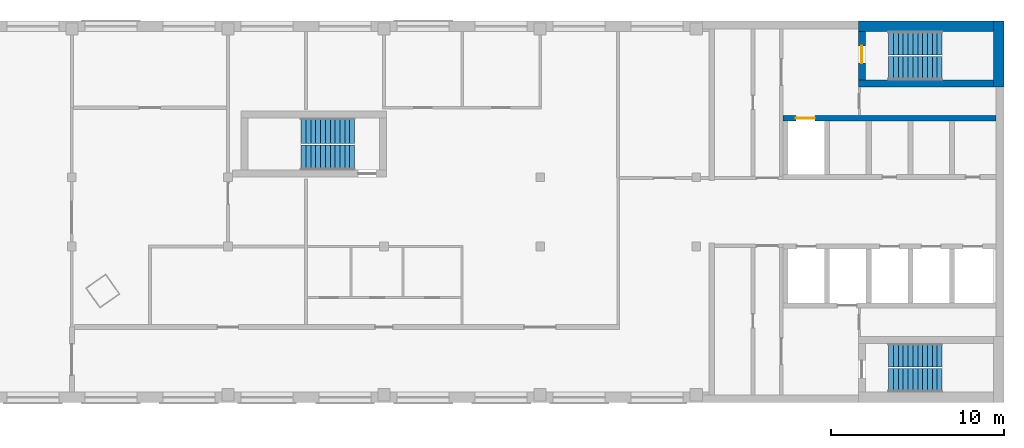
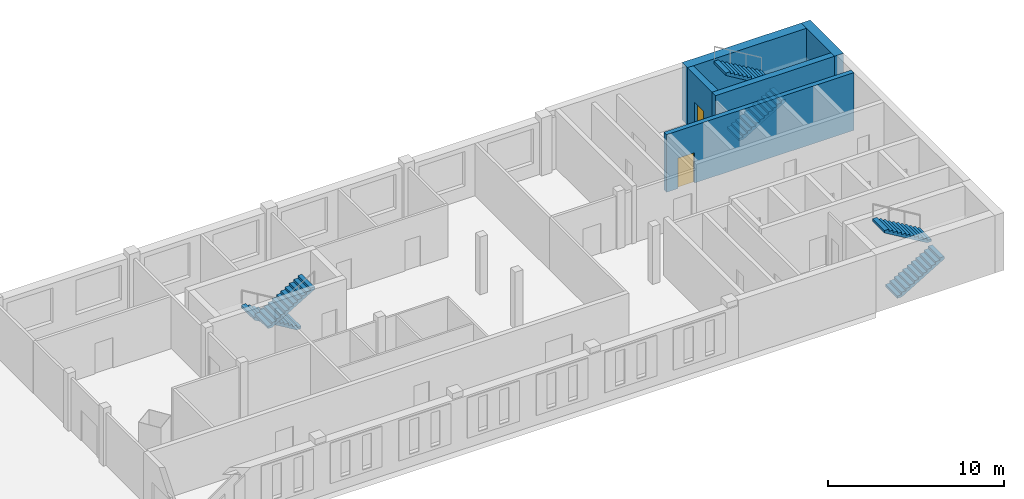
# One storey, part 4 of 5: 6 stair flights, 5 walls, 2 doors, 2 openings, 3 elements without a shape of their own.
"""IFC4 building model written with IfcOpenShell, lengths in metres."""

from ifc_helpers import new_model, si_unit, direction, frame, frame_2d, origin, place, context, subcontext, project, spatial, polyline, rectangle, outline, extrude, material, layer, layer_set, type_object, element, fill, aggregate, save


model = new_model("IFC4")

# Units and contexts
model_context = context("Model", 3, precision=1e-05, world=origin(), true_north=direction((0.0, 1.0)))
body_context = subcontext(model_context, "Body", "Model", "MODEL_VIEW")
ifc_project = project(units=[si_unit("LENGTHUNIT", "METRE"), si_unit("AREAUNIT", "SQUARE_METRE"), si_unit("VOLUMEUNIT", "CUBIC_METRE"), si_unit("PLANEANGLEUNIT", "RADIAN"), si_unit("MASSUNIT", "GRAM", prefix="KILO")], contexts=[model_context])

# Site, building, storey
site_placement = place(None, origin())
site = spatial("IfcSite", under=ifc_project, at=site_placement, CompositionType="ELEMENT")
building_placement = place(site_placement, origin())
building = spatial("IfcBuilding", under=site, at=building_placement, Name="Skarvind Civic Tower", CompositionType="ELEMENT")
storey_placement = place(building_placement, frame((0.0, 0.0, 273.5)))
storey = spatial("IfcBuildingStorey", under=building, at=storey_placement, Name="L65", CompositionType="ELEMENT", Elevation=273.5)

# Wall, opening, door
ifc_material_1 = material(Name="Concrete C60", Category="concrete")
ifc_layer_1 = layer(ifc_material_1, 0.300048828125)
ifc_layer_set_1 = layer_set([ifc_layer_1], Name="Core wall 300 C60")
wall_type_1 = type_object("IfcWallType", Name="Core wall 300 C60", PredefinedType="SHEAR", material=ifc_layer_set_1)
wall_1_placement = place(storey_placement, frame((107.550048828125, 133.39990234375, 0.0), z_axis=(0.0, 0.0, 1.0), x_axis=(-1.0, 0.0, 0.0)))
wall_1 = element("IfcWall", 1, at=wall_1_placement, inside=storey, type_object=wall_type_1, Name="Core wall C1 south lift row back L65", PredefinedType="SHEAR", context=body_context, shape_type="SweptSolid", body=[
    extrude(rectangle(XDim=12.300048828125, YDim=0.300048828125, at=frame_2d((6.14990234375, 0.0))), origin(), (0.0, 0.0, 1.0), 4.0),
])
opening_1_placement = place(wall_1_placement, frame((10.449951171875, 0.0, 0.0)))
opening_1 = element("IfcOpeningElement", 2, at=opening_1_placement, cuts=wall_1, Name="Opening LD67110", PredefinedType="OPENING", context=body_context, shape_type="SweptSolid", body=[
    extrude(rectangle(XDim=1.10009765625, YDim=2.10009765625, at=frame_2d((0.550048828125, 1.050048828125))), frame((0.0, 0.159912109375, 0.0), z_axis=(0.0, -1.0, 0.0), x_axis=(1.0, 0.0, 0.0)), (0.0, 0.0, 1.0), 0.320068359375),
])
ifc_material_2 = material(Name="Stainless steel landing door", Category="steel")
door_type_1 = type_object("IfcDoorType", Name="Lift landing door 1100", OperationType="DOUBLE_DOOR_SLIDING", PredefinedType="DOOR", material=ifc_material_2)
door_1_placement = place(opening_1_placement, origin())
door_1 = element("IfcDoor", 3, at=door_1_placement, inside=storey, type_object=door_type_1, Name="Lift landing door", OperationType="DOUBLE_DOOR_SLIDING", OverallHeight=2.10009765625, OverallWidth=1.10009765625, PredefinedType="DOOR", context=body_context, shape_type="SweptSolid", body=[
    extrude(rectangle(XDim=1.10009765625, YDim=2.10009765625, at=frame_2d((0.550048828125, 1.050048828125))), frame((0.0, 0.02490234375, 0.0), z_axis=(0.0, -1.0, 0.0), x_axis=(1.0, 0.0, 0.0)), (0.0, 0.0, 1.0), 0.050048828125),
])
fill(opening_1, door_1)

# Wall
ifc_layer_2 = layer(ifc_material_1, 0.39990234375)
ifc_layer_set_2 = layer_set([ifc_layer_2], Name="Core wall 400 C60")
wall_type_2 = type_object("IfcWallType", Name="Core wall 400 C60", PredefinedType="SHEAR", material=ifc_layer_set_2)
wall_2_placement = place(storey_placement, frame((107.39990234375, 135.39990234375, 0.0), z_axis=(0.0, 0.0, 1.0), x_axis=(-1.0, 0.0, 0.0)))
element("IfcWall", 4, at=wall_2_placement, inside=storey, type_object=wall_type_2, Name="Core wall C1 south stair inner L65", PredefinedType="SHEAR", context=body_context, shape_type="SweptSolid", body=[
    extrude(rectangle(XDim=7.7998046875, YDim=0.39990234375, at=frame_2d((3.89990234375, 0.0))), origin(), (0.0, 0.0, 1.0), 4.0),
])

# Wall, opening, door
wall_3_placement = place(storey_placement, frame((99.800048828125, 138.39990234375, 0.0), z_axis=(0.0, 0.0, 1.0), x_axis=(0.0, -1.0, 0.0)))
wall_3 = element("IfcWall", 5, at=wall_3_placement, inside=storey, type_object=wall_type_2, Name="Core wall C1 south stair end L65", PredefinedType="SHEAR", context=body_context, shape_type="SweptSolid", body=[
    extrude(rectangle(XDim=2.7998046875, YDim=0.39990234375, at=frame_2d((1.39990234375, 0.0))), origin(), (0.0, 0.0, 1.0), 4.0),
])
opening_2_placement = place(wall_3_placement, frame((0.824951171875, 0.0, 0.0)))
opening_2 = element("IfcOpeningElement", 6, at=opening_2_placement, cuts=wall_3, Name="Opening D-L65-C1-14", PredefinedType="OPENING", context=body_context, shape_type="SweptSolid", body=[
    extrude(rectangle(XDim=1.0, YDim=2.10009765625, at=frame_2d((0.5, 1.050048828125))), frame((0.0, 0.2099609375, 0.0), z_axis=(0.0, -1.0, 0.0), x_axis=(1.0, 0.0, 0.0)), (0.0, 0.0, 1.0), 0.419921875),
])
ifc_material_3 = material(Name="Fire-rated steel door", Category="steel")
door_type_2 = type_object("IfcDoorType", Name="Fire door 1000", OperationType="NOTDEFINED", PredefinedType="DOOR", material=ifc_material_3)
door_2_placement = place(opening_2_placement, origin())
door_2 = element("IfcDoor", 7, at=door_2_placement, inside=storey, type_object=door_type_2, Name="Fire door", OperationType="SINGLE_SWING_RIGHT", OverallHeight=2.10009765625, OverallWidth=1.0, PredefinedType="DOOR", context=body_context, shape_type="SweptSolid", body=[
    extrude(rectangle(XDim=1.0, YDim=2.10009765625, at=frame_2d((0.5, 1.050048828125))), frame((0.0, 0.02490234375, 0.0), z_axis=(0.0, -1.0, 0.0), x_axis=(1.0, 0.0, 0.0)), (0.0, 0.0, 1.0), 0.050048828125),
])
fill(opening_2, door_2)

# Walls
ifc_layer_3 = layer(ifc_material_1, 0.60009765625)
ifc_layer_set_3 = layer_set([ifc_layer_3], Name="Core wall 600 C60")
wall_type_3 = type_object("IfcWallType", Name="Core wall 600 C60", PredefinedType="SHEAR", material=ifc_layer_set_3)
wall_4_placement = place(storey_placement, frame((107.699951171875, 139.0, 0.0), z_axis=(0.0, 0.0, 1.0), x_axis=(0.0, -1.0, 0.0)))
element("IfcWall", 8, at=wall_4_placement, inside=storey, type_object=wall_type_3, Name="Core wall C1 tip at the south stair L65", PredefinedType="SHEAR", context=body_context, shape_type="SweptSolid", body=[
    extrude(rectangle(XDim=3.800048828125, YDim=0.60009765625, at=frame_2d((1.89990234375, 0.0))), origin(), (0.0, 0.0, 1.0), 4.0),
])
wall_5_placement = place(storey_placement, frame((107.39990234375, 138.699951171875, 0.0), z_axis=(0.0, 0.0, 1.0), x_axis=(-1.0, 0.0, 0.0)))
element("IfcWall", 9, at=wall_5_placement, inside=storey, type_object=wall_type_3, Name="Core wall C1 south side at the stair L65", PredefinedType="SHEAR", context=body_context, shape_type="SweptSolid", body=[
    extrude(rectangle(XDim=7.7998046875, YDim=0.60009765625, at=frame_2d((3.89990234375, 0.0))), origin(), (0.0, 0.0, 1.0), 4.0),
])

# Stair, stair flights
ifc_material_4 = material(Name="Concrete C40/50", Category="concrete")
stair_type_1 = type_object("IfcStairType", Name="Exit stair 1450, half-turn, concrete", PredefinedType="HALF_TURN_STAIR", material=ifc_material_4)
stair_1_placement = place(storey_placement, origin())
stair_1 = element("IfcStair", 10, at=stair_1_placement, inside=storey, type_object=stair_type_1, Name="Exit stair CM", PredefinedType="HALF_TURN_STAIR")
stair_flight_type_1 = type_object("IfcStairFlightType", Name="Stair flight 1450, concrete", PredefinedType="STRAIGHT", material=ifc_material_4)
stair_flight_1_placement = place(storey_placement, frame((70.550048828125, 132.675048828125, 0.0), z_axis=(0.0, 0.0, 1.0), x_axis=(-1.0, 0.0, 0.0)))
stair_flight_1 = element("IfcStairFlight", 11, at=stair_flight_1_placement, type_object=stair_flight_type_1, Name="ST-CM flight 1", NumberOfRisers=12, NumberOfTreads=11, PredefinedType="STRAIGHT", RiserHeight=0.166666667, TreadLength=0.28, context=body_context, shape_type="SweptSolid", body=[
    extrude(outline(polyline([(0.0, 0.0), (0.0, 0.166748046875), (0.280029296875, 0.166748046875), (0.280029296875, 0.333251953125), (0.56005859375, 0.333251953125), (0.56005859375, 0.5), (0.840087890625, 0.5), (0.840087890625, 0.666748046875), (1.1201171875, 0.666748046875), (1.1201171875, 0.833251953125), (1.39990234375, 0.833251953125), (1.39990234375, 1.0), (1.679931640625, 1.0), (1.679931640625, 1.166748046875), (1.9599609375, 1.166748046875), (1.9599609375, 1.333251953125), (2.239990234375, 1.333251953125), (2.239990234375, 1.5), (2.52001953125, 1.5), (2.52001953125, 1.666748046875), (2.800048828125, 1.666748046875), (2.800048828125, 1.833251953125), (3.080078125, 1.833251953125), (3.080078125, 2.0), (3.080078125, 1.658935546875), (0.29296875, 0.0), (0.0, 0.0)])), frame((0.0, 0.72509765625, 0.0), z_axis=(0.0, -1.0, 0.0), x_axis=(1.0, 0.0, 0.0)), (0.0, 0.0, 1.0), 1.449951171875),
])
stair_flight_2_placement = place(storey_placement, frame((67.469970703125, 131.125, 2.0), z_axis=(0.0, 0.0, 1.0), x_axis=(1.0, 0.0, 0.0)))
stair_flight_2 = element("IfcStairFlight", 12, at=stair_flight_2_placement, type_object=stair_flight_type_1, Name="ST-CM flight 2", NumberOfRisers=12, NumberOfTreads=11, PredefinedType="STRAIGHT", RiserHeight=0.166666667, TreadLength=0.28, context=body_context, shape_type="SweptSolid", body=[
    extrude(outline(polyline([(0.0, 0.0), (0.0, 0.166748046875), (0.280029296875, 0.166748046875), (0.280029296875, 0.333251953125), (0.56005859375, 0.333251953125), (0.56005859375, 0.5), (0.840087890625, 0.5), (0.840087890625, 0.666748046875), (1.1201171875, 0.666748046875), (1.1201171875, 0.833251953125), (1.39990234375, 0.833251953125), (1.39990234375, 1.0), (1.679931640625, 1.0), (1.679931640625, 1.166748046875), (1.9599609375, 1.166748046875), (1.9599609375, 1.333251953125), (2.239990234375, 1.333251953125), (2.239990234375, 1.5), (2.52001953125, 1.5), (2.52001953125, 1.666748046875), (2.800048828125, 1.666748046875), (2.800048828125, 1.833251953125), (3.080078125, 1.833251953125), (3.080078125, 2.0), (3.080078125, 1.658935546875), (0.29296875, 0.0), (0.0, 0.0)])), frame((0.0, 0.72509765625, 0.0), z_axis=(0.0, -1.0, 0.0), x_axis=(1.0, 0.0, 0.0)), (0.0, 0.0, 1.0), 1.449951171875),
])
aggregate(stair_1, [stair_flight_1, stair_flight_2])

stair_type_2 = type_object("IfcStairType", Name="Exit stair, half-turn, concrete", PredefinedType="HALF_TURN_STAIR", material=ifc_material_4)
stair_2_placement = place(storey_placement, origin())
stair_2 = element("IfcStair", 13, at=stair_2_placement, inside=storey, type_object=stair_type_2, Name="Exit stair C1S", PredefinedType="HALF_TURN_STAIR")
stair_flight_type_2 = type_object("IfcStairFlightType", Name="Stair flight, concrete", PredefinedType="STRAIGHT", material=ifc_material_4)
stair_flight_3_placement = place(storey_placement, frame((101.35009765625, 136.27490234375, 0.0), z_axis=(0.0, 0.0, 1.0), x_axis=(1.0, 0.0, 0.0)))
stair_flight_3 = element("IfcStairFlight", 14, at=stair_flight_3_placement, type_object=stair_flight_type_2, Name="ST-C1S flight 1", NumberOfRisers=12, NumberOfTreads=11, PredefinedType="STRAIGHT", RiserHeight=0.166666667, TreadLength=0.28, context=body_context, shape_type="SweptSolid", body=[
    extrude(outline(polyline([(0.0, 0.0), (0.0, 0.166748046875), (0.280029296875, 0.166748046875), (0.280029296875, 0.333251953125), (0.56005859375, 0.333251953125), (0.56005859375, 0.5), (0.840087890625, 0.5), (0.840087890625, 0.666748046875), (1.1201171875, 0.666748046875), (1.1201171875, 0.833251953125), (1.39990234375, 0.833251953125), (1.39990234375, 1.0), (1.679931640625, 1.0), (1.679931640625, 1.166748046875), (1.9599609375, 1.166748046875), (1.9599609375, 1.333251953125), (2.239990234375, 1.333251953125), (2.239990234375, 1.5), (2.52001953125, 1.5), (2.52001953125, 1.666748046875), (2.800048828125, 1.666748046875), (2.800048828125, 1.833251953125), (3.080078125, 1.833251953125), (3.080078125, 2.0), (3.080078125, 1.658935546875), (0.29296875, 0.0), (0.0, 0.0)])), frame((0.0, 0.675048828125, 0.0), z_axis=(0.0, -1.0, 0.0), x_axis=(1.0, 0.0, 0.0)), (0.0, 0.0, 1.0), 1.35009765625),
])
stair_flight_4_placement = place(storey_placement, frame((104.429931640625, 137.72509765625, 2.0), z_axis=(0.0, 0.0, 1.0), x_axis=(-1.0, 0.0, 0.0)))
stair_flight_4 = element("IfcStairFlight", 15, at=stair_flight_4_placement, type_object=stair_flight_type_2, Name="ST-C1S flight 2", NumberOfRisers=12, NumberOfTreads=11, PredefinedType="STRAIGHT", RiserHeight=0.166666667, TreadLength=0.28, context=body_context, shape_type="SweptSolid", body=[
    extrude(outline(polyline([(0.0, 0.0), (0.0, 0.166748046875), (0.280029296875, 0.166748046875), (0.280029296875, 0.333251953125), (0.56005859375, 0.333251953125), (0.56005859375, 0.5), (0.840087890625, 0.5), (0.840087890625, 0.666748046875), (1.1201171875, 0.666748046875), (1.1201171875, 0.833251953125), (1.39990234375, 0.833251953125), (1.39990234375, 1.0), (1.679931640625, 1.0), (1.679931640625, 1.166748046875), (1.9599609375, 1.166748046875), (1.9599609375, 1.333251953125), (2.239990234375, 1.333251953125), (2.239990234375, 1.5), (2.52001953125, 1.5), (2.52001953125, 1.666748046875), (2.800048828125, 1.666748046875), (2.800048828125, 1.833251953125), (3.080078125, 1.833251953125), (3.080078125, 2.0), (3.080078125, 1.658935546875), (0.29296875, 0.0), (0.0, 0.0)])), frame((0.0, 0.675048828125, 0.0), z_axis=(0.0, -1.0, 0.0), x_axis=(1.0, 0.0, 0.0)), (0.0, 0.0, 1.0), 1.35009765625),
])
aggregate(stair_2, [stair_flight_3, stair_flight_4])

stair_3_placement = place(storey_placement, origin())
stair_3 = element("IfcStair", 16, at=stair_3_placement, inside=storey, type_object=stair_type_2, Name="Exit stair C1N", PredefinedType="HALF_TURN_STAIR")
stair_flight_5_placement = place(storey_placement, frame((101.35009765625, 118.27490234375, 0.0), z_axis=(0.0, 0.0, 1.0), x_axis=(1.0, 0.0, 0.0)))
stair_flight_5 = element("IfcStairFlight", 17, at=stair_flight_5_placement, type_object=stair_flight_type_2, Name="ST-C1N flight 1", NumberOfRisers=12, NumberOfTreads=11, PredefinedType="STRAIGHT", RiserHeight=0.166666667, TreadLength=0.28, context=body_context, shape_type="SweptSolid", body=[
    extrude(outline(polyline([(0.0, 0.0), (0.0, 0.166748046875), (0.280029296875, 0.166748046875), (0.280029296875, 0.333251953125), (0.56005859375, 0.333251953125), (0.56005859375, 0.5), (0.840087890625, 0.5), (0.840087890625, 0.666748046875), (1.1201171875, 0.666748046875), (1.1201171875, 0.833251953125), (1.39990234375, 0.833251953125), (1.39990234375, 1.0), (1.679931640625, 1.0), (1.679931640625, 1.166748046875), (1.9599609375, 1.166748046875), (1.9599609375, 1.333251953125), (2.239990234375, 1.333251953125), (2.239990234375, 1.5), (2.52001953125, 1.5), (2.52001953125, 1.666748046875), (2.800048828125, 1.666748046875), (2.800048828125, 1.833251953125), (3.080078125, 1.833251953125), (3.080078125, 2.0), (3.080078125, 1.658935546875), (0.29296875, 0.0), (0.0, 0.0)])), frame((0.0, 0.675048828125, 0.0), z_axis=(0.0, -1.0, 0.0), x_axis=(1.0, 0.0, 0.0)), (0.0, 0.0, 1.0), 1.35009765625),
])
stair_flight_6_placement = place(storey_placement, frame((104.429931640625, 119.72509765625, 2.0), z_axis=(0.0, 0.0, 1.0), x_axis=(-1.0, 0.0, 0.0)))
stair_flight_6 = element("IfcStairFlight", 18, at=stair_flight_6_placement, type_object=stair_flight_type_2, Name="ST-C1N flight 2", NumberOfRisers=12, NumberOfTreads=11, PredefinedType="STRAIGHT", RiserHeight=0.166666667, TreadLength=0.28, context=body_context, shape_type="SweptSolid", body=[
    extrude(outline(polyline([(0.0, 0.0), (0.0, 0.166748046875), (0.280029296875, 0.166748046875), (0.280029296875, 0.333251953125), (0.56005859375, 0.333251953125), (0.56005859375, 0.5), (0.840087890625, 0.5), (0.840087890625, 0.666748046875), (1.1201171875, 0.666748046875), (1.1201171875, 0.833251953125), (1.39990234375, 0.833251953125), (1.39990234375, 1.0), (1.679931640625, 1.0), (1.679931640625, 1.166748046875), (1.9599609375, 1.166748046875), (1.9599609375, 1.333251953125), (2.239990234375, 1.333251953125), (2.239990234375, 1.5), (2.52001953125, 1.5), (2.52001953125, 1.666748046875), (2.800048828125, 1.666748046875), (2.800048828125, 1.833251953125), (3.080078125, 1.833251953125), (3.080078125, 2.0), (3.080078125, 1.658935546875), (0.29296875, 0.0), (0.0, 0.0)])), frame((0.0, 0.675048828125, 0.0), z_axis=(0.0, -1.0, 0.0), x_axis=(1.0, 0.0, 0.0)), (0.0, 0.0, 1.0), 1.35009765625),
])
aggregate(stair_3, [stair_flight_5, stair_flight_6])

save(model, "model.ifc")
